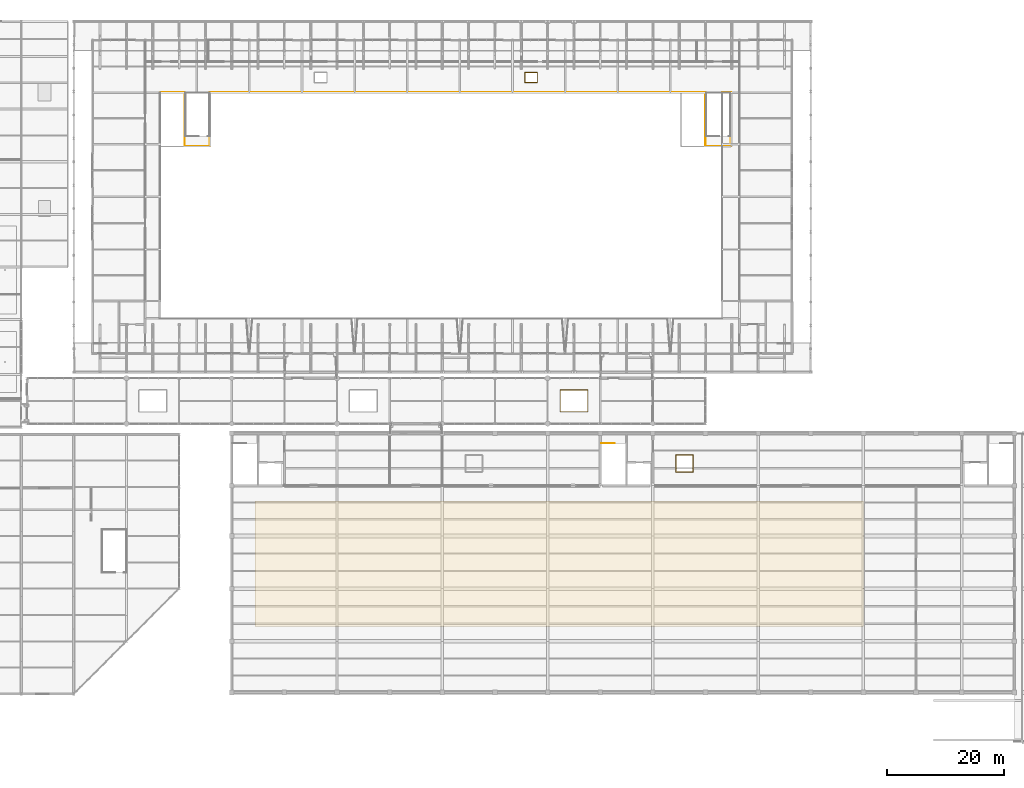
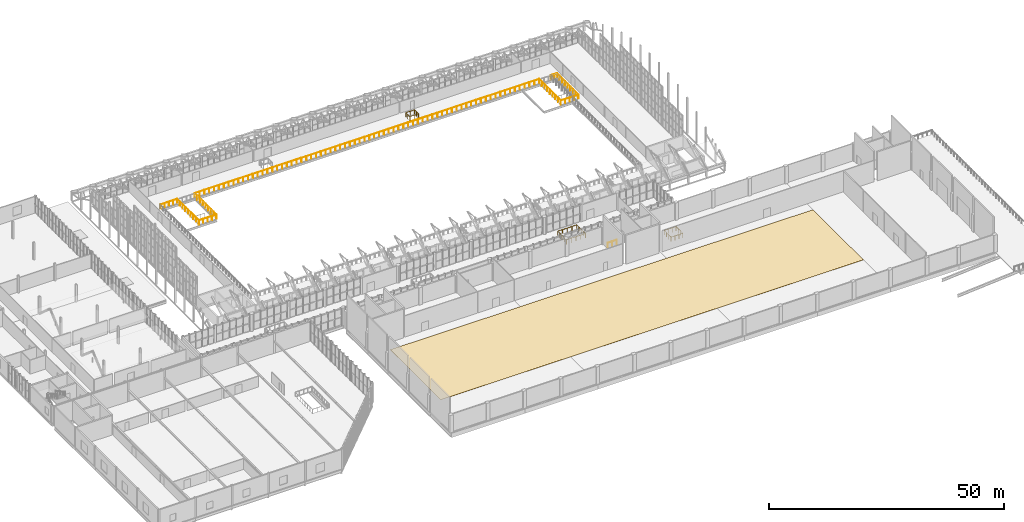
# One storey, part 133 of 134: 5 railings, 1 covering.
"""IFC4 building model written with IfcOpenShell, lengths in metres."""

from ifc_helpers import new_model, si_unit, direction, frame, origin, origin_2d, place, context, subcontext, project, spatial, polyline, circle, outline, extrude, material, layer, layer_set, type_object, element, save


model = new_model("IFC4")

# Units and contexts
model_context = context("Model", 3, precision=1e-05, world=origin(), true_north=direction((0.0, 1.0)))
body_context = subcontext(model_context, "Body", "Model", "MODEL_VIEW")
ifc_project = project(units=[si_unit("LENGTHUNIT", "METRE"), si_unit("AREAUNIT", "SQUARE_METRE"), si_unit("VOLUMEUNIT", "CUBIC_METRE"), si_unit("PLANEANGLEUNIT", "RADIAN"), si_unit("MASSUNIT", "GRAM", prefix="KILO")], contexts=[model_context])

# Site, building, storey
site_placement = place(None, origin())
site = spatial("IfcSite", under=ifc_project, at=site_placement, CompositionType="ELEMENT")
building_placement = place(site_placement, origin())
building = spatial("IfcBuilding", under=site, at=building_placement, Name="Cazmaro Siding Exhibition Halls", CompositionType="ELEMENT")
storey_placement = place(building_placement, frame((0.0, 0.0, 12.0)))
storey = spatial("IfcBuildingStorey", under=building, at=storey_placement, Name="L02", CompositionType="ELEMENT", Elevation=12.0)

# Covering
ifc_material_1 = material(Name="Recycled Rubber Exhibition Hall Acoustic Flooring", Category="concrete")
ifc_layer = layer(ifc_material_1, 0.02001953125)
ifc_layer_set = layer_set([ifc_layer], Name="Recycled Rubber Exhibition Hall Acoustic Flooring")
covering_type = type_object("IfcCoveringType", Name="COV-FLR-01", PredefinedType="FLOORING", material=ifc_layer_set)
covering_placement = place(storey_placement, origin())
element("IfcCovering", 1, at=covering_placement, inside=storey, type_object=covering_type, Name="Recycled Rubber Exhibition Flooring 006", PredefinedType="FLOORING", context=body_context, shape_type="SweptSolid", body=[
    extrude(outline(polyline([(76.0, 20.5), (180.0, 20.5), (180.0, 42.0), (76.0, 42.0), (76.0, 20.5)])), origin(), (0.0, 0.0, 1.0), 0.02001953125),
])

# Railings
ifc_material_2 = material(Name="Interior Laminated Glass and Brushed Stainless Steel Balustrade", Category="steel")
railing_type_1 = type_object("IfcRailingType", Name="RL-BAL-02", PredefinedType="BALUSTRADE", material=ifc_material_2)
railing_1_placement = place(storey_placement, frame((128.14990234375, 57.25, 0.0)))
element("IfcRailing", 2, at=railing_1_placement, inside=storey, type_object=railing_type_1, Name="Concourse Atrium Guard L02 RL-BAL-02 RL-G029", PredefinedType="BALUSTRADE", context=body_context, shape_type="SweptSolid", body=[
    extrude(circle(Radius=0.02392578125, at=origin_2d()), frame((0.0, 0.0, 1.09619140625), z_axis=(1.0, 0.0, 0.0), x_axis=(0.0, 1.0, 0.0)), (0.0, 0.0, 1.0), 4.7001953125),
    extrude(circle(Radius=0.02392578125, at=origin_2d()), frame((4.7001953125, 0.0, 1.09619140625), z_axis=(0.0, 1.0, 0.0), x_axis=(-1.0, 0.0, 0.0)), (0.0, 0.0, 1.0), 3.699951171875),
    extrude(circle(Radius=0.02392578125, at=origin_2d()), frame((4.7001953125, 3.699951171875, 1.09619140625), z_axis=(-1.0, 0.0, 0.0), x_axis=(0.0, -1.0, 0.0)), (0.0, 0.0, 1.0), 4.7001953125),
    extrude(circle(Radius=0.02392578125, at=origin_2d()), frame((0.0, 3.699951171875, 1.09619140625), z_axis=(0.0, -1.0, 0.0), x_axis=(1.0, 0.0, 0.0)), (0.0, 0.0, 1.0), 3.639892578125),
    extrude(circle(Radius=0.02099609375, at=origin_2d()), origin(), (0.0, 0.0, 1.0), 1.072021484375),
    extrude(circle(Radius=0.02099609375, at=origin_2d()), frame((1.175048828125, 0.0, 0.0)), (0.0, 0.0, 1.0), 1.072021484375),
    extrude(circle(Radius=0.02099609375, at=origin_2d()), frame((2.35009765625, 0.0, 0.0)), (0.0, 0.0, 1.0), 1.072021484375),
    extrude(circle(Radius=0.02099609375, at=origin_2d()), frame((3.525146484375, 0.0, 0.0)), (0.0, 0.0, 1.0), 1.072021484375),
    extrude(circle(Radius=0.02099609375, at=origin_2d()), frame((4.7001953125, 0.0, 0.0)), (0.0, 0.0, 1.0), 1.072021484375),
    extrude(circle(Radius=0.02099609375, at=origin_2d()), frame((4.7001953125, 0.925048828125, 0.0)), (0.0, 0.0, 1.0), 1.072021484375),
    extrude(circle(Radius=0.02099609375, at=origin_2d()), frame((4.7001953125, 1.85009765625, 0.0)), (0.0, 0.0, 1.0), 1.072021484375),
    extrude(circle(Radius=0.02099609375, at=origin_2d()), frame((4.7001953125, 2.77490234375, 0.0)), (0.0, 0.0, 1.0), 1.072021484375),
    extrude(circle(Radius=0.02099609375, at=origin_2d()), frame((4.7001953125, 3.699951171875, 0.0)), (0.0, 0.0, 1.0), 1.072021484375),
    extrude(circle(Radius=0.02099609375, at=origin_2d()), frame((3.525146484375, 3.699951171875, 0.0)), (0.0, 0.0, 1.0), 1.072021484375),
    extrude(circle(Radius=0.02099609375, at=origin_2d()), frame((2.35009765625, 3.699951171875, 0.0)), (0.0, 0.0, 1.0), 1.072021484375),
    extrude(circle(Radius=0.02099609375, at=origin_2d()), frame((1.175048828125, 3.699951171875, 0.0)), (0.0, 0.0, 1.0), 1.072021484375),
    extrude(circle(Radius=0.02099609375, at=origin_2d()), frame((0.0, 3.699951171875, 0.0)), (0.0, 0.0, 1.0), 1.072021484375),
    extrude(circle(Radius=0.02099609375, at=origin_2d()), frame((0.0, 2.7900390625, 0.0)), (0.0, 0.0, 1.0), 1.072021484375),
    extrude(circle(Radius=0.02099609375, at=origin_2d()), frame((0.0, 1.8798828125, 0.0)), (0.0, 0.0, 1.0), 1.072021484375),
    extrude(circle(Radius=0.02099609375, at=origin_2d()), frame((0.0, 0.969970703125, 0.0)), (0.0, 0.0, 1.0), 1.072021484375),
    extrude(circle(Radius=0.02099609375, at=origin_2d()), frame((0.0, 0.06005859375, 0.0)), (0.0, 0.0, 1.0), 1.072021484375),
])
railing_2_placement = place(storey_placement, frame((59.85009765625, 111.85009765625, 0.0)))
element("IfcRailing", 3, at=railing_2_placement, inside=storey, type_object=railing_type_1, Name="Hall A North Overlook Guard L02 RL-BAL-02 RL-G032", PredefinedType="BALUSTRADE", context=body_context, shape_type="SweptSolid", body=[
    extrude(circle(Radius=0.02392578125, at=origin_2d()), frame((0.0, 0.0, 1.09619140625), z_axis=(1.0, 0.0, 0.0), x_axis=(0.0, 1.0, 0.0)), (0.0, 0.0, 1.0), 4.099853515625),
    extrude(circle(Radius=0.02392578125, at=origin_2d()), frame((4.099853515625, 0.0, 1.09619140625), z_axis=(0.0, -1.0, 0.0), x_axis=(1.0, 0.0, 0.0)), (0.0, 0.0, 1.0), 9.2001953125),
    extrude(circle(Radius=0.02392578125, at=origin_2d()), frame((4.099853515625, -9.2001953125, 1.09619140625), z_axis=(1.0, 0.0, 0.0), x_axis=(0.0, 1.0, 0.0)), (0.0, 0.0, 1.0), 4.300048828125),
    extrude(circle(Radius=0.02392578125, at=origin_2d()), frame((8.39990234375, -9.2001953125, 1.09619140625), z_axis=(0.0, 1.0, 0.0), x_axis=(-1.0, 0.0, 0.0)), (0.0, 0.0, 1.0), 9.2001953125),
    extrude(circle(Radius=0.02392578125, at=origin_2d()), frame((8.39990234375, 0.0, 1.09619140625), z_axis=(1.0, 0.0, 0.0), x_axis=(0.0, 1.0, 0.0)), (0.0, 0.0, 1.0), 84.75),
    extrude(circle(Radius=0.02392578125, at=origin_2d()), frame((93.14990234375, 0.0, 1.09619140625), z_axis=(0.0, -1.0, 0.0), x_axis=(1.0, 0.0, 0.0)), (0.0, 0.0, 1.0), 9.2001953125),
    extrude(circle(Radius=0.02392578125, at=origin_2d()), frame((93.14990234375, -9.2001953125, 1.09619140625), z_axis=(1.0, 0.0, 0.0), x_axis=(0.0, 1.0, 0.0)), (0.0, 0.0, 1.0), 4.35009765625),
    extrude(circle(Radius=0.02392578125, at=origin_2d()), frame((97.5, -9.2001953125, 1.09619140625), z_axis=(0.0, 1.0, 0.0), x_axis=(-1.0, 0.0, 0.0)), (0.0, 0.0, 1.0), 9.2001953125),
    extrude(circle(Radius=0.02392578125, at=origin_2d()), frame((97.5, 0.0, 1.09619140625), z_axis=(-1.0, 0.0, 0.0), x_axis=(0.0, -1.0, 0.0)), (0.0, 0.0, 1.0), 1.5),
    extrude(circle(Radius=0.02099609375, at=origin_2d()), origin(), (0.0, 0.0, 1.0), 1.072021484375),
    extrude(circle(Radius=0.02099609375, at=origin_2d()), frame((1.02490234375, 0.0, 0.0)), (0.0, 0.0, 1.0), 1.072021484375),
    extrude(circle(Radius=0.02099609375, at=origin_2d()), frame((2.0498046875, 0.0, 0.0)), (0.0, 0.0, 1.0), 1.072021484375),
    extrude(circle(Radius=0.02099609375, at=origin_2d()), frame((3.074951171875, 0.0, 0.0)), (0.0, 0.0, 1.0), 1.072021484375),
    extrude(circle(Radius=0.02099609375, at=origin_2d()), frame((4.099853515625, 0.0, 0.0)), (0.0, 0.0, 1.0), 1.072021484375),
    extrude(circle(Radius=0.02099609375, at=origin_2d()), frame((4.099853515625, -1.14990234375, 0.0)), (0.0, 0.0, 1.0), 1.072021484375),
    extrude(circle(Radius=0.02099609375, at=origin_2d()), frame((4.099853515625, -2.300048828125, 0.0)), (0.0, 0.0, 1.0), 1.072021484375),
    extrude(circle(Radius=0.02099609375, at=origin_2d()), frame((4.099853515625, -3.4501953125, 0.0)), (0.0, 0.0, 1.0), 1.072021484375),
    extrude(circle(Radius=0.02099609375, at=origin_2d()), frame((4.099853515625, -4.60009765625, 0.0)), (0.0, 0.0, 1.0), 1.072021484375),
    extrude(circle(Radius=0.02099609375, at=origin_2d()), frame((4.099853515625, -5.75, 0.0)), (0.0, 0.0, 1.0), 1.072021484375),
    extrude(circle(Radius=0.02099609375, at=origin_2d()), frame((4.099853515625, -6.900146484375, 0.0)), (0.0, 0.0, 1.0), 1.072021484375),
    extrude(circle(Radius=0.02099609375, at=origin_2d()), frame((4.099853515625, -8.05029296875, 0.0)), (0.0, 0.0, 1.0), 1.072021484375),
    extrude(circle(Radius=0.02099609375, at=origin_2d()), frame((4.099853515625, -9.2001953125, 0.0)), (0.0, 0.0, 1.0), 1.072021484375),
    extrude(circle(Radius=0.02099609375, at=origin_2d()), frame((5.1748046875, -9.2001953125, 0.0)), (0.0, 0.0, 1.0), 1.072021484375),
    extrude(circle(Radius=0.02099609375, at=origin_2d()), frame((6.25, -9.2001953125, 0.0)), (0.0, 0.0, 1.0), 1.072021484375),
    extrude(circle(Radius=0.02099609375, at=origin_2d()), frame((7.324951171875, -9.2001953125, 0.0)), (0.0, 0.0, 1.0), 1.072021484375),
    extrude(circle(Radius=0.02099609375, at=origin_2d()), frame((8.39990234375, -9.2001953125, 0.0)), (0.0, 0.0, 1.0), 1.072021484375),
    extrude(circle(Radius=0.02099609375, at=origin_2d()), frame((8.39990234375, -8.05029296875, 0.0)), (0.0, 0.0, 1.0), 1.072021484375),
    extrude(circle(Radius=0.02099609375, at=origin_2d()), frame((8.39990234375, -6.900146484375, 0.0)), (0.0, 0.0, 1.0), 1.072021484375),
    extrude(circle(Radius=0.02099609375, at=origin_2d()), frame((8.39990234375, -5.75, 0.0)), (0.0, 0.0, 1.0), 1.072021484375),
    extrude(circle(Radius=0.02099609375, at=origin_2d()), frame((8.39990234375, -4.60009765625, 0.0)), (0.0, 0.0, 1.0), 1.072021484375),
    extrude(circle(Radius=0.02099609375, at=origin_2d()), frame((8.39990234375, -3.4501953125, 0.0)), (0.0, 0.0, 1.0), 1.072021484375),
    extrude(circle(Radius=0.02099609375, at=origin_2d()), frame((8.39990234375, -2.300048828125, 0.0)), (0.0, 0.0, 1.0), 1.072021484375),
    extrude(circle(Radius=0.02099609375, at=origin_2d()), frame((8.39990234375, -1.14990234375, 0.0)), (0.0, 0.0, 1.0), 1.072021484375),
    extrude(circle(Radius=0.02099609375, at=origin_2d()), frame((8.39990234375, 0.0, 0.0)), (0.0, 0.0, 1.0), 1.072021484375),
    extrude(circle(Radius=0.02099609375, at=origin_2d()), frame((9.593505859375, 0.0, 0.0)), (0.0, 0.0, 1.0), 1.072021484375),
    extrude(circle(Radius=0.02099609375, at=origin_2d()), frame((10.787109375, 0.0, 0.0)), (0.0, 0.0, 1.0), 1.072021484375),
    extrude(circle(Radius=0.02099609375, at=origin_2d()), frame((11.98095703125, 0.0, 0.0)), (0.0, 0.0, 1.0), 1.072021484375),
    extrude(circle(Radius=0.02099609375, at=origin_2d()), frame((13.174560546875, 0.0, 0.0)), (0.0, 0.0, 1.0), 1.072021484375),
    extrude(circle(Radius=0.02099609375, at=origin_2d()), frame((14.3681640625, 0.0, 0.0)), (0.0, 0.0, 1.0), 1.072021484375),
    extrude(circle(Radius=0.02099609375, at=origin_2d()), frame((15.561767578125, 0.0, 0.0)), (0.0, 0.0, 1.0), 1.072021484375),
    extrude(circle(Radius=0.02099609375, at=origin_2d()), frame((16.755615234375, 0.0, 0.0)), (0.0, 0.0, 1.0), 1.072021484375),
    extrude(circle(Radius=0.02099609375, at=origin_2d()), frame((17.94921875, 0.0, 0.0)), (0.0, 0.0, 1.0), 1.072021484375),
    extrude(circle(Radius=0.02099609375, at=origin_2d()), frame((19.142822265625, 0.0, 0.0)), (0.0, 0.0, 1.0), 1.072021484375),
    extrude(circle(Radius=0.02099609375, at=origin_2d()), frame((20.33642578125, 0.0, 0.0)), (0.0, 0.0, 1.0), 1.072021484375),
    extrude(circle(Radius=0.02099609375, at=origin_2d()), frame((21.5302734375, 0.0, 0.0)), (0.0, 0.0, 1.0), 1.072021484375),
    extrude(circle(Radius=0.02099609375, at=origin_2d()), frame((22.723876953125, 0.0, 0.0)), (0.0, 0.0, 1.0), 1.072021484375),
    extrude(circle(Radius=0.02099609375, at=origin_2d()), frame((23.91748046875, 0.0, 0.0)), (0.0, 0.0, 1.0), 1.072021484375),
    extrude(circle(Radius=0.02099609375, at=origin_2d()), frame((25.111083984375, 0.0, 0.0)), (0.0, 0.0, 1.0), 1.072021484375),
    extrude(circle(Radius=0.02099609375, at=origin_2d()), frame((26.304931640625, 0.0, 0.0)), (0.0, 0.0, 1.0), 1.072021484375),
    extrude(circle(Radius=0.02099609375, at=origin_2d()), frame((27.49853515625, 0.0, 0.0)), (0.0, 0.0, 1.0), 1.072021484375),
    extrude(circle(Radius=0.02099609375, at=origin_2d()), frame((28.692138671875, 0.0, 0.0)), (0.0, 0.0, 1.0), 1.072021484375),
    extrude(circle(Radius=0.02099609375, at=origin_2d()), frame((29.8857421875, 0.0, 0.0)), (0.0, 0.0, 1.0), 1.072021484375),
    extrude(circle(Radius=0.02099609375, at=origin_2d()), frame((31.07958984375, 0.0, 0.0)), (0.0, 0.0, 1.0), 1.072021484375),
    extrude(circle(Radius=0.02099609375, at=origin_2d()), frame((32.273193359375, 0.0, 0.0)), (0.0, 0.0, 1.0), 1.072021484375),
    extrude(circle(Radius=0.02099609375, at=origin_2d()), frame((33.466796875, 0.0, 0.0)), (0.0, 0.0, 1.0), 1.072021484375),
    extrude(circle(Radius=0.02099609375, at=origin_2d()), frame((34.660400390625, 0.0, 0.0)), (0.0, 0.0, 1.0), 1.072021484375),
    extrude(circle(Radius=0.02099609375, at=origin_2d()), frame((35.854248046875, 0.0, 0.0)), (0.0, 0.0, 1.0), 1.072021484375),
    extrude(circle(Radius=0.02099609375, at=origin_2d()), frame((37.0478515625, 0.0, 0.0)), (0.0, 0.0, 1.0), 1.072021484375),
    extrude(circle(Radius=0.02099609375, at=origin_2d()), frame((38.241455078125, 0.0, 0.0)), (0.0, 0.0, 1.0), 1.072021484375),
    extrude(circle(Radius=0.02099609375, at=origin_2d()), frame((39.43505859375, 0.0, 0.0)), (0.0, 0.0, 1.0), 1.072021484375),
    extrude(circle(Radius=0.02099609375, at=origin_2d()), frame((40.628662109375, 0.0, 0.0)), (0.0, 0.0, 1.0), 1.072021484375),
    extrude(circle(Radius=0.02099609375, at=origin_2d()), frame((41.822509765625, 0.0, 0.0)), (0.0, 0.0, 1.0), 1.072021484375),
    extrude(circle(Radius=0.02099609375, at=origin_2d()), frame((43.01611328125, 0.0, 0.0)), (0.0, 0.0, 1.0), 1.072021484375),
    extrude(circle(Radius=0.02099609375, at=origin_2d()), frame((44.209716796875, 0.0, 0.0)), (0.0, 0.0, 1.0), 1.072021484375),
    extrude(circle(Radius=0.02099609375, at=origin_2d()), frame((45.4033203125, 0.0, 0.0)), (0.0, 0.0, 1.0), 1.072021484375),
    extrude(circle(Radius=0.02099609375, at=origin_2d()), frame((46.59716796875, 0.0, 0.0)), (0.0, 0.0, 1.0), 1.072021484375),
    extrude(circle(Radius=0.02099609375, at=origin_2d()), frame((47.790771484375, 0.0, 0.0)), (0.0, 0.0, 1.0), 1.072021484375),
    extrude(circle(Radius=0.02099609375, at=origin_2d()), frame((48.984375, 0.0, 0.0)), (0.0, 0.0, 1.0), 1.072021484375),
    extrude(circle(Radius=0.02099609375, at=origin_2d()), frame((50.177978515625, 0.0, 0.0)), (0.0, 0.0, 1.0), 1.072021484375),
    extrude(circle(Radius=0.02099609375, at=origin_2d()), frame((51.371826171875, 0.0, 0.0)), (0.0, 0.0, 1.0), 1.072021484375),
    extrude(circle(Radius=0.02099609375, at=origin_2d()), frame((52.5654296875, 0.0, 0.0)), (0.0, 0.0, 1.0), 1.072021484375),
    extrude(circle(Radius=0.02099609375, at=origin_2d()), frame((53.759033203125, 0.0, 0.0)), (0.0, 0.0, 1.0), 1.072021484375),
    extrude(circle(Radius=0.02099609375, at=origin_2d()), frame((54.95263671875, 0.0, 0.0)), (0.0, 0.0, 1.0), 1.072021484375),
    extrude(circle(Radius=0.02099609375, at=origin_2d()), frame((56.146484375, 0.0, 0.0)), (0.0, 0.0, 1.0), 1.072021484375),
    extrude(circle(Radius=0.02099609375, at=origin_2d()), frame((57.340087890625, 0.0, 0.0)), (0.0, 0.0, 1.0), 1.072021484375),
    extrude(circle(Radius=0.02099609375, at=origin_2d()), frame((58.53369140625, 0.0, 0.0)), (0.0, 0.0, 1.0), 1.072021484375),
    extrude(circle(Radius=0.02099609375, at=origin_2d()), frame((59.727294921875, 0.0, 0.0)), (0.0, 0.0, 1.0), 1.072021484375),
    extrude(circle(Radius=0.02099609375, at=origin_2d()), frame((60.921142578125, 0.0, 0.0)), (0.0, 0.0, 1.0), 1.072021484375),
    extrude(circle(Radius=0.02099609375, at=origin_2d()), frame((62.11474609375, 0.0, 0.0)), (0.0, 0.0, 1.0), 1.072021484375),
    extrude(circle(Radius=0.02099609375, at=origin_2d()), frame((63.308349609375, 0.0, 0.0)), (0.0, 0.0, 1.0), 1.072021484375),
    extrude(circle(Radius=0.02099609375, at=origin_2d()), frame((64.501953125, 0.0, 0.0)), (0.0, 0.0, 1.0), 1.072021484375),
    extrude(circle(Radius=0.02099609375, at=origin_2d()), frame((65.695556640625, 0.0, 0.0)), (0.0, 0.0, 1.0), 1.072021484375),
    extrude(circle(Radius=0.02099609375, at=origin_2d()), frame((66.889404296875, 0.0, 0.0)), (0.0, 0.0, 1.0), 1.072021484375),
    extrude(circle(Radius=0.02099609375, at=origin_2d()), frame((68.0830078125, 0.0, 0.0)), (0.0, 0.0, 1.0), 1.072021484375),
    extrude(circle(Radius=0.02099609375, at=origin_2d()), frame((69.276611328125, 0.0, 0.0)), (0.0, 0.0, 1.0), 1.072021484375),
    extrude(circle(Radius=0.02099609375, at=origin_2d()), frame((70.47021484375, 0.0, 0.0)), (0.0, 0.0, 1.0), 1.072021484375),
    extrude(circle(Radius=0.02099609375, at=origin_2d()), frame((71.6640625, 0.0, 0.0)), (0.0, 0.0, 1.0), 1.072021484375),
    extrude(circle(Radius=0.02099609375, at=origin_2d()), frame((72.857666015625, 0.0, 0.0)), (0.0, 0.0, 1.0), 1.072021484375),
    extrude(circle(Radius=0.02099609375, at=origin_2d()), frame((74.05126953125, 0.0, 0.0)), (0.0, 0.0, 1.0), 1.072021484375),
    extrude(circle(Radius=0.02099609375, at=origin_2d()), frame((75.244873046875, 0.0, 0.0)), (0.0, 0.0, 1.0), 1.072021484375),
    extrude(circle(Radius=0.02099609375, at=origin_2d()), frame((76.438720703125, 0.0, 0.0)), (0.0, 0.0, 1.0), 1.072021484375),
    extrude(circle(Radius=0.02099609375, at=origin_2d()), frame((77.63232421875, 0.0, 0.0)), (0.0, 0.0, 1.0), 1.072021484375),
    extrude(circle(Radius=0.02099609375, at=origin_2d()), frame((78.825927734375, 0.0, 0.0)), (0.0, 0.0, 1.0), 1.072021484375),
    extrude(circle(Radius=0.02099609375, at=origin_2d()), frame((80.01953125, 0.0, 0.0)), (0.0, 0.0, 1.0), 1.072021484375),
    extrude(circle(Radius=0.02099609375, at=origin_2d()), frame((81.21337890625, 0.0, 0.0)), (0.0, 0.0, 1.0), 1.072021484375),
    extrude(circle(Radius=0.02099609375, at=origin_2d()), frame((82.406982421875, 0.0, 0.0)), (0.0, 0.0, 1.0), 1.072021484375),
    extrude(circle(Radius=0.02099609375, at=origin_2d()), frame((83.6005859375, 0.0, 0.0)), (0.0, 0.0, 1.0), 1.072021484375),
    extrude(circle(Radius=0.02099609375, at=origin_2d()), frame((84.794189453125, 0.0, 0.0)), (0.0, 0.0, 1.0), 1.072021484375),
    extrude(circle(Radius=0.02099609375, at=origin_2d()), frame((85.988037109375, 0.0, 0.0)), (0.0, 0.0, 1.0), 1.072021484375),
    extrude(circle(Radius=0.02099609375, at=origin_2d()), frame((87.181640625, 0.0, 0.0)), (0.0, 0.0, 1.0), 1.072021484375),
    extrude(circle(Radius=0.02099609375, at=origin_2d()), frame((88.375244140625, 0.0, 0.0)), (0.0, 0.0, 1.0), 1.072021484375),
    extrude(circle(Radius=0.02099609375, at=origin_2d()), frame((89.56884765625, 0.0, 0.0)), (0.0, 0.0, 1.0), 1.072021484375),
    extrude(circle(Radius=0.02099609375, at=origin_2d()), frame((90.7626953125, 0.0, 0.0)), (0.0, 0.0, 1.0), 1.072021484375),
    extrude(circle(Radius=0.02099609375, at=origin_2d()), frame((91.956298828125, 0.0, 0.0)), (0.0, 0.0, 1.0), 1.072021484375),
    extrude(circle(Radius=0.02099609375, at=origin_2d()), frame((93.14990234375, 0.0, 0.0)), (0.0, 0.0, 1.0), 1.072021484375),
    extrude(circle(Radius=0.02099609375, at=origin_2d()), frame((93.14990234375, -1.14990234375, 0.0)), (0.0, 0.0, 1.0), 1.072021484375),
    extrude(circle(Radius=0.02099609375, at=origin_2d()), frame((93.14990234375, -2.300048828125, 0.0)), (0.0, 0.0, 1.0), 1.072021484375),
    extrude(circle(Radius=0.02099609375, at=origin_2d()), frame((93.14990234375, -3.4501953125, 0.0)), (0.0, 0.0, 1.0), 1.072021484375),
    extrude(circle(Radius=0.02099609375, at=origin_2d()), frame((93.14990234375, -4.60009765625, 0.0)), (0.0, 0.0, 1.0), 1.072021484375),
    extrude(circle(Radius=0.02099609375, at=origin_2d()), frame((93.14990234375, -5.75, 0.0)), (0.0, 0.0, 1.0), 1.072021484375),
    extrude(circle(Radius=0.02099609375, at=origin_2d()), frame((93.14990234375, -6.900146484375, 0.0)), (0.0, 0.0, 1.0), 1.072021484375),
    extrude(circle(Radius=0.02099609375, at=origin_2d()), frame((93.14990234375, -8.05029296875, 0.0)), (0.0, 0.0, 1.0), 1.072021484375),
    extrude(circle(Radius=0.02099609375, at=origin_2d()), frame((93.14990234375, -9.2001953125, 0.0)), (0.0, 0.0, 1.0), 1.072021484375),
    extrude(circle(Radius=0.02099609375, at=origin_2d()), frame((94.2373046875, -9.2001953125, 0.0)), (0.0, 0.0, 1.0), 1.072021484375),
    extrude(circle(Radius=0.02099609375, at=origin_2d()), frame((95.324951171875, -9.2001953125, 0.0)), (0.0, 0.0, 1.0), 1.072021484375),
    extrude(circle(Radius=0.02099609375, at=origin_2d()), frame((96.41259765625, -9.2001953125, 0.0)), (0.0, 0.0, 1.0), 1.072021484375),
    extrude(circle(Radius=0.02099609375, at=origin_2d()), frame((97.5, -9.2001953125, 0.0)), (0.0, 0.0, 1.0), 1.072021484375),
    extrude(circle(Radius=0.02099609375, at=origin_2d()), frame((97.5, -8.05029296875, 0.0)), (0.0, 0.0, 1.0), 1.072021484375),
    extrude(circle(Radius=0.02099609375, at=origin_2d()), frame((97.5, -6.900146484375, 0.0)), (0.0, 0.0, 1.0), 1.072021484375),
    extrude(circle(Radius=0.02099609375, at=origin_2d()), frame((97.5, -5.75, 0.0)), (0.0, 0.0, 1.0), 1.072021484375),
    extrude(circle(Radius=0.02099609375, at=origin_2d()), frame((97.5, -4.60009765625, 0.0)), (0.0, 0.0, 1.0), 1.072021484375),
    extrude(circle(Radius=0.02099609375, at=origin_2d()), frame((97.5, -3.4501953125, 0.0)), (0.0, 0.0, 1.0), 1.072021484375),
    extrude(circle(Radius=0.02099609375, at=origin_2d()), frame((97.5, -2.300048828125, 0.0)), (0.0, 0.0, 1.0), 1.072021484375),
    extrude(circle(Radius=0.02099609375, at=origin_2d()), frame((97.5, -1.14990234375, 0.0)), (0.0, 0.0, 1.0), 1.072021484375),
    extrude(circle(Radius=0.02099609375, at=origin_2d()), frame((97.5, 0.0, 0.0)), (0.0, 0.0, 1.0), 1.072021484375),
    extrude(circle(Radius=0.02099609375, at=origin_2d()), frame((96.75, 0.0, 0.0)), (0.0, 0.0, 1.0), 1.072021484375),
    extrude(circle(Radius=0.02099609375, at=origin_2d()), frame((96.0, 0.0, 0.0)), (0.0, 0.0, 1.0), 1.072021484375),
])
railing_3_placement = place(storey_placement, frame((122.14990234375, 113.550048828125, 0.0)))
element("IfcRailing", 4, at=railing_3_placement, inside=storey, type_object=railing_type_1, Name="Gallery Void Guard L02 RL-BAL-02 RL-G040", PredefinedType="BALUSTRADE", context=body_context, shape_type="SweptSolid", body=[
    extrude(circle(Radius=0.02392578125, at=origin_2d()), frame((0.0, 0.0, 1.09619140625), z_axis=(1.0, 0.0, 0.0), x_axis=(0.0, 1.0, 0.0)), (0.0, 0.0, 1.0), 2.10009765625),
    extrude(circle(Radius=0.02392578125, at=origin_2d()), frame((2.10009765625, 0.0, 1.09619140625), z_axis=(0.0, 1.0, 0.0), x_axis=(-1.0, 0.0, 0.0)), (0.0, 0.0, 1.0), 1.699951171875),
    extrude(circle(Radius=0.02392578125, at=origin_2d()), frame((2.10009765625, 1.699951171875, 1.09619140625), z_axis=(-1.0, 0.0, 0.0), x_axis=(0.0, -1.0, 0.0)), (0.0, 0.0, 1.0), 2.10009765625),
    extrude(circle(Radius=0.02392578125, at=origin_2d()), frame((0.0, 1.699951171875, 1.09619140625), z_axis=(0.0, -1.0, 0.0), x_axis=(1.0, 0.0, 0.0)), (0.0, 0.0, 1.0), 1.639892578125),
    extrude(circle(Radius=0.02099609375, at=origin_2d()), origin(), (0.0, 0.0, 1.0), 1.072021484375),
    extrude(circle(Radius=0.02099609375, at=origin_2d()), frame((1.050048828125, 0.0, 0.0)), (0.0, 0.0, 1.0), 1.072021484375),
    extrude(circle(Radius=0.02099609375, at=origin_2d()), frame((2.10009765625, 0.0, 0.0)), (0.0, 0.0, 1.0), 1.072021484375),
    extrude(circle(Radius=0.02099609375, at=origin_2d()), frame((2.10009765625, 0.85009765625, 0.0)), (0.0, 0.0, 1.0), 1.072021484375),
    extrude(circle(Radius=0.02099609375, at=origin_2d()), frame((2.10009765625, 1.699951171875, 0.0)), (0.0, 0.0, 1.0), 1.072021484375),
    extrude(circle(Radius=0.02099609375, at=origin_2d()), frame((1.050048828125, 1.699951171875, 0.0)), (0.0, 0.0, 1.0), 1.072021484375),
    extrude(circle(Radius=0.02099609375, at=origin_2d()), frame((0.0, 1.699951171875, 0.0)), (0.0, 0.0, 1.0), 1.072021484375),
    extrude(circle(Radius=0.02099609375, at=origin_2d()), frame((0.0, 0.8798828125, 0.0)), (0.0, 0.0, 1.0), 1.072021484375),
    extrude(circle(Radius=0.02099609375, at=origin_2d()), frame((0.0, 0.06005859375, 0.0)), (0.0, 0.0, 1.0), 1.072021484375),
])
ifc_material_3 = material(Name="Painted Steel Stairwell Guardrail", Category="steel")
railing_type_2 = type_object("IfcRailingType", Name="RL-GRD-01", PredefinedType="GUARDRAIL", material=ifc_material_3)
railing_4_placement = place(storey_placement, frame((147.949951171875, 46.949951171875, 0.0)))
element("IfcRailing", 5, at=railing_4_placement, inside=storey, type_object=railing_type_2, Name="Hall B2 Shaft Guard RL-GRD-01 RL-G056", PredefinedType="GUARDRAIL", context=body_context, shape_type="SweptSolid", body=[
    extrude(circle(Radius=0.02392578125, at=origin_2d()), frame((0.0, 0.0, 1.09619140625), z_axis=(1.0, 0.0, 0.0), x_axis=(0.0, 1.0, 0.0)), (0.0, 0.0, 1.0), 2.900146484375),
    extrude(circle(Radius=0.02392578125, at=origin_2d()), frame((2.900146484375, 0.0, 1.09619140625), z_axis=(0.0, 1.0, 0.0), x_axis=(-1.0, 0.0, 0.0)), (0.0, 0.0, 1.0), 2.900146484375),
    extrude(circle(Radius=0.02392578125, at=origin_2d()), frame((2.900146484375, 2.900146484375, 1.09619140625), z_axis=(-1.0, 0.0, 0.0), x_axis=(0.0, -1.0, 0.0)), (0.0, 0.0, 1.0), 2.900146484375),
    extrude(circle(Radius=0.02392578125, at=origin_2d()), frame((0.0, 2.900146484375, 1.09619140625), z_axis=(0.0, -1.0, 0.0), x_axis=(1.0, 0.0, 0.0)), (0.0, 0.0, 1.0), 2.840087890625),
    extrude(circle(Radius=0.02099609375, at=origin_2d()), origin(), (0.0, 0.0, 1.0), 1.072021484375),
    extrude(circle(Radius=0.02099609375, at=origin_2d()), frame((0.966796875, 0.0, 0.0)), (0.0, 0.0, 1.0), 1.072021484375),
    extrude(circle(Radius=0.02099609375, at=origin_2d()), frame((1.933349609375, 0.0, 0.0)), (0.0, 0.0, 1.0), 1.072021484375),
    extrude(circle(Radius=0.02099609375, at=origin_2d()), frame((2.900146484375, 0.0, 0.0)), (0.0, 0.0, 1.0), 1.072021484375),
    extrude(circle(Radius=0.02099609375, at=origin_2d()), frame((2.900146484375, 0.966796875, 0.0)), (0.0, 0.0, 1.0), 1.072021484375),
    extrude(circle(Radius=0.02099609375, at=origin_2d()), frame((2.900146484375, 1.933349609375, 0.0)), (0.0, 0.0, 1.0), 1.072021484375),
    extrude(circle(Radius=0.02099609375, at=origin_2d()), frame((2.900146484375, 2.900146484375, 0.0)), (0.0, 0.0, 1.0), 1.072021484375),
    extrude(circle(Radius=0.02099609375, at=origin_2d()), frame((1.933349609375, 2.900146484375, 0.0)), (0.0, 0.0, 1.0), 1.072021484375),
    extrude(circle(Radius=0.02099609375, at=origin_2d()), frame((0.966796875, 2.900146484375, 0.0)), (0.0, 0.0, 1.0), 1.072021484375),
    extrude(circle(Radius=0.02099609375, at=origin_2d()), frame((0.0, 2.900146484375, 0.0)), (0.0, 0.0, 1.0), 1.072021484375),
    extrude(circle(Radius=0.02099609375, at=origin_2d()), frame((0.0, 1.953369140625, 0.0)), (0.0, 0.0, 1.0), 1.072021484375),
    extrude(circle(Radius=0.02099609375, at=origin_2d()), frame((0.0, 1.0068359375, 0.0)), (0.0, 0.0, 1.0), 1.072021484375),
    extrude(circle(Radius=0.02099609375, at=origin_2d()), frame((0.0, 0.06005859375, 0.0)), (0.0, 0.0, 1.0), 1.072021484375),
])
railing_5_placement = place(storey_placement, frame((135.215087890625, 51.860107421875, 0.0)))
element("IfcRailing", 6, at=railing_5_placement, inside=storey, type_object=railing_type_2, Name="Core C4 L02 Top Stairwell Guard RL-GRD-01 RL-SG016", PredefinedType="GUARDRAIL", context=body_context, shape_type="SweptSolid", body=[
    extrude(circle(Radius=0.02392578125, at=origin_2d()), frame((0.0, 0.0, 1.09619140625), z_axis=(1.0, 0.0, 0.0), x_axis=(0.0, 1.0, 0.0)), (0.0, 0.0, 1.0), 2.224853515625),
    extrude(circle(Radius=0.02099609375, at=origin_2d()), origin(), (0.0, 0.0, 1.0), 1.072021484375),
    extrude(circle(Radius=0.02099609375, at=origin_2d()), frame((1.1123046875, 0.0, 0.0)), (0.0, 0.0, 1.0), 1.072021484375),
    extrude(circle(Radius=0.02099609375, at=origin_2d()), frame((2.224853515625, 0.0, 0.0)), (0.0, 0.0, 1.0), 1.072021484375),
])

save(model, "model.ifc")
